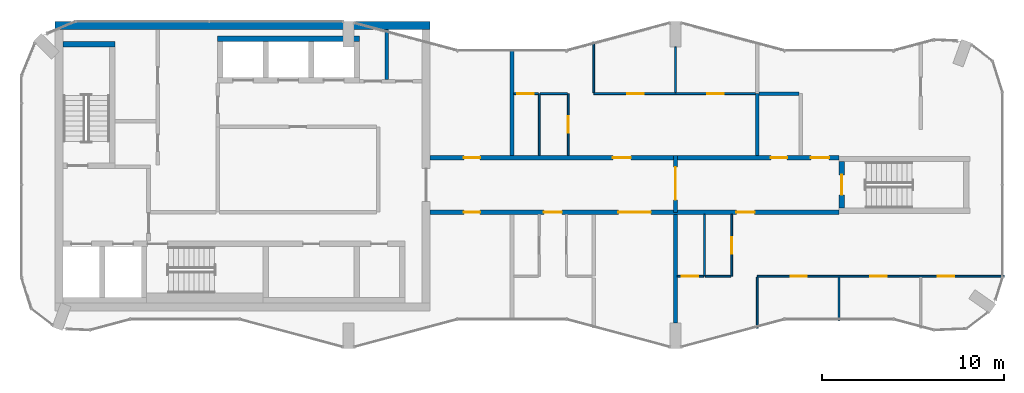
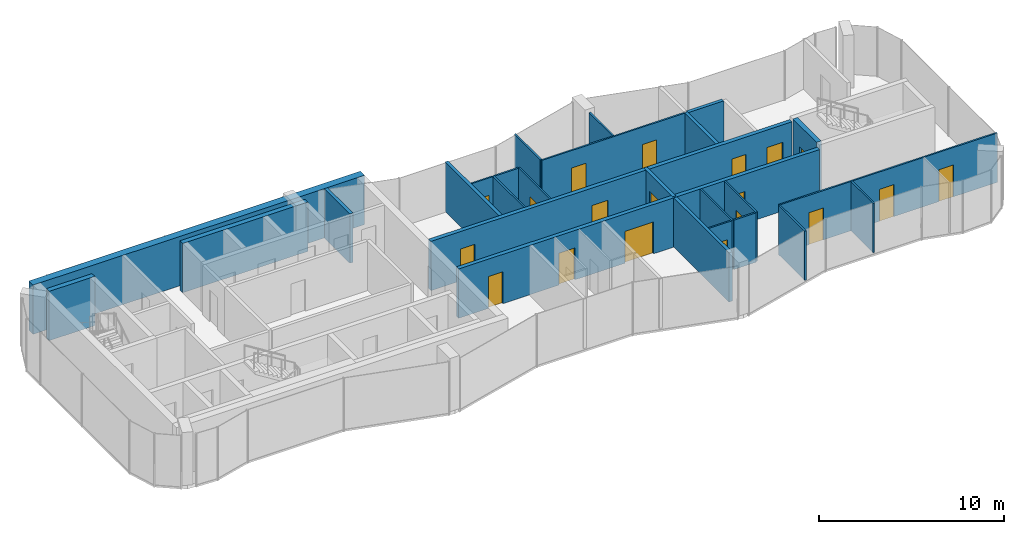
# One storey, part 8 of 10: 26 walls, 19 doors, 19 openings.
"""IFC4 building model written with IfcOpenShell, lengths in metres."""

from ifc_helpers import new_model, si_unit, direction, frame, frame_2d, origin, place, context, subcontext, project, spatial, rectangle, extrude, material, layer, layer_set, type_object, element, fill, save


model = new_model("IFC4")

# Units and contexts
model_context = context("Model", 3, precision=1e-05, world=origin(), true_north=direction((0.0, 1.0)))
body_context = subcontext(model_context, "Body", "Model", "MODEL_VIEW")
ifc_project = project(units=[si_unit("LENGTHUNIT", "METRE"), si_unit("AREAUNIT", "SQUARE_METRE"), si_unit("VOLUMEUNIT", "CUBIC_METRE"), si_unit("PLANEANGLEUNIT", "RADIAN"), si_unit("MASSUNIT", "GRAM", prefix="KILO")], contexts=[model_context])

# Site, building, storey
site_placement = place(None, origin())
site = spatial("IfcSite", under=ifc_project, at=site_placement, CompositionType="ELEMENT")
building_placement = place(site_placement, origin())
building = spatial("IfcBuilding", under=site, at=building_placement, Name="Plateau Cross Towers", CompositionType="ELEMENT")
storey_placement = place(building_placement, frame((0.0, 0.0, 273.89990234375)))
storey = spatial("IfcBuildingStorey", under=building, at=storey_placement, Name="L72", CompositionType="ELEMENT", Elevation=273.89990234375)

# Walls
ifc_material_1 = material(Name="Concrete block, plastered both sides", Category="concrete")
ifc_layer_1 = layer(ifc_material_1, 0.199951171875)
ifc_layer_set_1 = layer_set([ifc_layer_1], Name="Concrete block, plastered both sides")
wall_type_1 = type_object("IfcWallType", Name="Core partition 200", PredefinedType="PARTITIONING", material=ifc_layer_set_1)
wall_1_placement = place(storey_placement, frame((20.10009765625, 14.800048828125, 0.0), z_axis=(0.0, 0.0, 1.0), x_axis=(0.0, 1.0, 0.0)))
element("IfcWall", 1, at=wall_1_placement, inside=storey, type_object=wall_type_1, Name="Core partition", PredefinedType="PARTITIONING", context=body_context, shape_type="SweptSolid", body=[
    extrude(rectangle(XDim=2.75, YDim=0.199951171875, at=frame_2d((1.375, 0.0))), origin(), (0.0, 0.0, 1.0), 3.25),
])
ifc_material_2 = material(Name="Concrete C60/75", Category="concrete")
ifc_layer_2 = layer(ifc_material_2, 0.300048828125)
ifc_layer_set_2 = layer_set([ifc_layer_2], Name="Concrete C60/75")
wall_type_2 = type_object("IfcWallType", Name="Core shaft wall 300", PredefinedType="SHEAR", material=ifc_layer_set_2)
wall_2_placement = place(storey_placement, frame((2.300048828125, 16.75, 0.0), z_axis=(0.0, 0.0, 1.0), x_axis=(1.0, 0.0, 0.0)))
element("IfcWall", 2, at=wall_2_placement, inside=storey, type_object=wall_type_2, Name="A-st1-N@L72", PredefinedType="SHEAR", context=body_context, shape_type="SweptSolid", body=[
    extrude(rectangle(XDim=2.849853515625, YDim=0.300048828125, at=frame_2d((1.4248046875, 0.0))), origin(), (0.0, 0.0, 1.0), 3.25),
])
wall_3_placement = place(storey_placement, frame((10.800048828125, 17.050048828125, 0.0), z_axis=(0.0, 0.0, 1.0), x_axis=(1.0, 0.0, 0.0)))
element("IfcWall", 3, at=wall_3_placement, inside=storey, type_object=wall_type_2, Name="A-nb-back@L72", PredefinedType="SHEAR", context=body_context, shape_type="SweptSolid", body=[
    extrude(rectangle(XDim=7.800048828125, YDim=0.300048828125, at=frame_2d((3.89990234375, 0.0))), origin(), (0.0, 0.0, 1.0), 3.25),
])
ifc_layer_3 = layer(ifc_material_2, 0.449951171875)
ifc_layer_set_3 = layer_set([ifc_layer_3], Name="Concrete C60/75")
wall_type_3 = type_object("IfcWallType", Name="Core shell wall 450", PredefinedType="SHEAR", material=ifc_layer_set_3)
wall_4_placement = place(storey_placement, frame((1.85009765625, 17.77490234375, 0.0), z_axis=(0.0, 0.0, 1.0), x_axis=(1.0, 0.0, 0.0)))
element("IfcWall", 4, at=wall_4_placement, inside=storey, type_object=wall_type_3, Name="A-core-N@L72", PredefinedType="SHEAR", context=body_context, shape_type="SweptSolid", body=[
    extrude(rectangle(XDim=20.64990234375, YDim=0.449951171875, at=frame_2d((10.324951171875, 0.0))), origin(), (0.0, 0.0, 1.0), 3.25),
])

# Wall, openings, doors
ifc_layer_4 = layer(ifc_material_2, 0.25)
ifc_layer_set_4 = layer_set([ifc_layer_4], Name="Concrete C60/75")
wall_type_4 = type_object("IfcWallType", Name="Corridor wall 250", PredefinedType="SHEAR", material=ifc_layer_set_4)
wall_5_placement = place(storey_placement, frame((22.5, 7.5, 0.0), z_axis=(0.0, 0.0, 1.0), x_axis=(1.0, 0.0, 0.0)))
wall_5 = element("IfcWall", 5, at=wall_5_placement, inside=storey, type_object=wall_type_4, Name="A-cw-S1@L72", PredefinedType="SHEAR", context=body_context, shape_type="SweptSolid", body=[
    extrude(rectangle(XDim=22.5, YDim=0.25, at=frame_2d((11.25, 0.0))), origin(), (0.0, 0.0, 1.0), 3.25),
])
opening_1_placement = place(wall_5_placement, frame((1.85009765625, 0.0, 0.0)))
opening_1 = element("IfcOpeningElement", 6, at=opening_1_placement, cuts=wall_5, Name="Opening 72-01", PredefinedType="OPENING", context=body_context, shape_type="SweptSolid", body=[
    extrude(rectangle(XDim=0.89990234375, YDim=2.10009765625, at=frame_2d((0.449951171875, 1.050048828125))), frame((0.0, 0.135009765625, 0.0), z_axis=(0.0, -1.0, 0.0), x_axis=(1.0, 0.0, 0.0)), (0.0, 0.0, 1.0), 0.27001953125),
])
opening_2_placement = place(wall_5_placement, frame((6.25, 0.0, 0.0)))
opening_2 = element("IfcOpeningElement", 7, at=opening_2_placement, cuts=wall_5, Name="Opening 72-02", PredefinedType="OPENING", context=body_context, shape_type="SweptSolid", body=[
    extrude(rectangle(XDim=1.0, YDim=2.10009765625, at=frame_2d((0.5, 1.050048828125))), frame((0.0, 0.135009765625, 0.0), z_axis=(0.0, -1.0, 0.0), x_axis=(1.0, 0.0, 0.0)), (0.0, 0.0, 1.0), 0.27001953125),
])
opening_3_placement = place(wall_5_placement, frame((10.35009765625, 0.0, 0.0)))
opening_3 = element("IfcOpeningElement", 8, at=opening_3_placement, cuts=wall_5, Name="Opening 72-03", PredefinedType="OPENING", context=body_context, shape_type="SweptSolid", body=[
    extrude(rectangle(XDim=1.800048828125, YDim=2.10009765625, at=frame_2d((0.89990234375, 1.050048828125))), frame((0.0, 0.135009765625, 0.0), z_axis=(0.0, -1.0, 0.0), x_axis=(1.0, 0.0, 0.0)), (0.0, 0.0, 1.0), 0.27001953125),
])
opening_4_placement = place(wall_5_placement, frame((16.85009765625, 0.0, 0.0)))
opening_4 = element("IfcOpeningElement", 9, at=opening_4_placement, cuts=wall_5, Name="Opening 72-04", PredefinedType="OPENING", context=body_context, shape_type="SweptSolid", body=[
    extrude(rectangle(XDim=1.0, YDim=2.10009765625, at=frame_2d((0.5, 1.050048828125))), frame((0.0, 0.135009765625, 0.0), z_axis=(0.0, -1.0, 0.0), x_axis=(1.0, 0.0, 0.0)), (0.0, 0.0, 1.0), 0.27001953125),
])
ifc_material_3 = material(Name="Timber, fire-resisting leaf", Category="wood")
door_type_1 = type_object("IfcDoorType", Name="Flat entrance door 1000", OperationType="NOTDEFINED", PredefinedType="DOOR", material=ifc_material_3)
door_1_placement = place(opening_2_placement, origin())
door_1 = element("IfcDoor", 10, at=door_1_placement, inside=storey, type_object=door_type_1, Name="Door 72-02", OperationType="SINGLE_SWING_LEFT", OverallHeight=2.10009765625, OverallWidth=1.0, PredefinedType="DOOR", context=body_context, shape_type="SweptSolid", body=[
    extrude(rectangle(XDim=1.0, YDim=2.10009765625, at=frame_2d((0.5, 1.050048828125))), frame((0.0, 0.02490234375, 0.0), z_axis=(0.0, -1.0, 0.0), x_axis=(1.0, 0.0, 0.0)), (0.0, 0.0, 1.0), 0.050048828125),
])
fill(opening_2, door_1)
door_2_placement = place(opening_4_placement, origin())
door_2 = element("IfcDoor", 11, at=door_2_placement, inside=storey, type_object=door_type_1, Name="Door 72-04", OperationType="SINGLE_SWING_RIGHT", OverallHeight=2.10009765625, OverallWidth=1.0, PredefinedType="DOOR", context=body_context, shape_type="SweptSolid", body=[
    extrude(rectangle(XDim=1.0, YDim=2.10009765625, at=frame_2d((0.5, 1.050048828125))), frame((0.0, 0.02490234375, 0.0), z_axis=(0.0, -1.0, 0.0), x_axis=(1.0, 0.0, 0.0)), (0.0, 0.0, 1.0), 0.050048828125),
])
fill(opening_4, door_2)
ifc_material_4 = material(Name="Timber, fire-resisting leaves", Category="wood")
door_type_2 = type_object("IfcDoorType", Name="Flat floor fire door pair 1800", OperationType="NOTDEFINED", PredefinedType="DOOR", material=ifc_material_4)
door_3_placement = place(opening_3_placement, origin())
door_3 = element("IfcDoor", 12, at=door_3_placement, inside=storey, type_object=door_type_2, Name="Door 72-03", OperationType="SINGLE_SWING_LEFT", OverallHeight=2.10009765625, OverallWidth=1.800048828125, PredefinedType="DOOR", context=body_context, shape_type="SweptSolid", body=[
    extrude(rectangle(XDim=1.800048828125, YDim=2.10009765625, at=frame_2d((0.89990234375, 1.050048828125))), frame((0.0, 0.02490234375, 0.0), z_axis=(0.0, -1.0, 0.0), x_axis=(1.0, 0.0, 0.0)), (0.0, 0.0, 1.0), 0.050048828125),
])
fill(opening_3, door_3)
door_type_3 = type_object("IfcDoorType", Name="Flat floor service door 900", OperationType="NOTDEFINED", PredefinedType="DOOR", material=ifc_material_3)
door_4_placement = place(opening_1_placement, origin())
door_4 = element("IfcDoor", 13, at=door_4_placement, inside=storey, type_object=door_type_3, Name="Door 72-01", OperationType="SINGLE_SWING_LEFT", OverallHeight=2.10009765625, OverallWidth=0.89990234375, PredefinedType="DOOR", context=body_context, shape_type="SweptSolid", body=[
    extrude(rectangle(XDim=0.89990234375, YDim=2.10009765625, at=frame_2d((0.449951171875, 1.050048828125))), frame((0.0, 0.02490234375, 0.0), z_axis=(0.0, -1.0, 0.0), x_axis=(1.0, 0.0, 0.0)), (0.0, 0.0, 1.0), 0.050048828125),
])
fill(opening_1, door_4)

wall_6_placement = place(storey_placement, frame((22.5, 10.5, 0.0), z_axis=(0.0, 0.0, 1.0), x_axis=(1.0, 0.0, 0.0)))
wall_6 = element("IfcWall", 14, at=wall_6_placement, inside=storey, type_object=wall_type_4, Name="A-cw-S2@L72", PredefinedType="SHEAR", context=body_context, shape_type="SweptSolid", body=[
    extrude(rectangle(XDim=22.5, YDim=0.25, at=frame_2d((11.25, 0.0))), origin(), (0.0, 0.0, 1.0), 3.25),
])
opening_5_placement = place(wall_6_placement, frame((1.85009765625, 0.0, 0.0)))
opening_5 = element("IfcOpeningElement", 15, at=opening_5_placement, cuts=wall_6, Name="Opening 72-05", PredefinedType="OPENING", context=body_context, shape_type="SweptSolid", body=[
    extrude(rectangle(XDim=0.89990234375, YDim=2.10009765625, at=frame_2d((0.449951171875, 1.050048828125))), frame((0.0, 0.135009765625, 0.0), z_axis=(0.0, -1.0, 0.0), x_axis=(1.0, 0.0, 0.0)), (0.0, 0.0, 1.0), 0.27001953125),
])
opening_6_placement = place(wall_6_placement, frame((10.050048828125, 0.0, 0.0)))
opening_6 = element("IfcOpeningElement", 16, at=opening_6_placement, cuts=wall_6, Name="Opening 72-06", PredefinedType="OPENING", context=body_context, shape_type="SweptSolid", body=[
    extrude(rectangle(XDim=1.0, YDim=2.10009765625, at=frame_2d((0.5, 1.050048828125))), frame((0.0, 0.135009765625, 0.0), z_axis=(0.0, -1.0, 0.0), x_axis=(1.0, 0.0, 0.0)), (0.0, 0.0, 1.0), 0.27001953125),
])
opening_7_placement = place(wall_6_placement, frame((18.75, 0.0, 0.0)))
opening_7 = element("IfcOpeningElement", 17, at=opening_7_placement, cuts=wall_6, Name="Opening 72-07", PredefinedType="OPENING", context=body_context, shape_type="SweptSolid", body=[
    extrude(rectangle(XDim=0.89990234375, YDim=2.10009765625, at=frame_2d((0.449951171875, 1.050048828125))), frame((0.0, 0.135009765625, 0.0), z_axis=(0.0, -1.0, 0.0), x_axis=(1.0, 0.0, 0.0)), (0.0, 0.0, 1.0), 0.27001953125),
])
opening_8_placement = place(wall_6_placement, frame((20.949951171875, 0.0, 0.0)))
opening_8 = element("IfcOpeningElement", 18, at=opening_8_placement, cuts=wall_6, Name="Opening 72-08", PredefinedType="OPENING", context=body_context, shape_type="SweptSolid", body=[
    extrude(rectangle(XDim=1.0, YDim=2.10009765625, at=frame_2d((0.5, 1.050048828125))), frame((0.0, 0.135009765625, 0.0), z_axis=(0.0, -1.0, 0.0), x_axis=(1.0, 0.0, 0.0)), (0.0, 0.0, 1.0), 0.27001953125),
])
door_5_placement = place(opening_6_placement, origin())
door_5 = element("IfcDoor", 19, at=door_5_placement, inside=storey, type_object=door_type_1, Name="Door 72-06", OperationType="SINGLE_SWING_LEFT", OverallHeight=2.10009765625, OverallWidth=1.0, PredefinedType="DOOR", context=body_context, shape_type="SweptSolid", body=[
    extrude(rectangle(XDim=1.0, YDim=2.10009765625, at=frame_2d((0.5, 1.050048828125))), frame((0.0, 0.02490234375, 0.0), z_axis=(0.0, -1.0, 0.0), x_axis=(1.0, 0.0, 0.0)), (0.0, 0.0, 1.0), 0.050048828125),
])
fill(opening_6, door_5)
door_6_placement = place(opening_8_placement, origin())
door_6 = element("IfcDoor", 20, at=door_6_placement, inside=storey, type_object=door_type_1, Name="Door 72-08", OperationType="SINGLE_SWING_RIGHT", OverallHeight=2.10009765625, OverallWidth=1.0, PredefinedType="DOOR", context=body_context, shape_type="SweptSolid", body=[
    extrude(rectangle(XDim=1.0, YDim=2.10009765625, at=frame_2d((0.5, 1.050048828125))), frame((0.0, 0.02490234375, 0.0), z_axis=(0.0, -1.0, 0.0), x_axis=(1.0, 0.0, 0.0)), (0.0, 0.0, 1.0), 0.050048828125),
])
fill(opening_8, door_6)
door_7_placement = place(opening_5_placement, origin())
door_7 = element("IfcDoor", 21, at=door_7_placement, inside=storey, type_object=door_type_3, Name="Door 72-05", OperationType="SINGLE_SWING_LEFT", OverallHeight=2.10009765625, OverallWidth=0.89990234375, PredefinedType="DOOR", context=body_context, shape_type="SweptSolid", body=[
    extrude(rectangle(XDim=0.89990234375, YDim=2.10009765625, at=frame_2d((0.449951171875, 1.050048828125))), frame((0.0, 0.02490234375, 0.0), z_axis=(0.0, -1.0, 0.0), x_axis=(1.0, 0.0, 0.0)), (0.0, 0.0, 1.0), 0.050048828125),
])
fill(opening_5, door_7)
door_8_placement = place(opening_7_placement, origin())
door_8 = element("IfcDoor", 22, at=door_8_placement, inside=storey, type_object=door_type_3, Name="Door 72-07", OperationType="SINGLE_SWING_RIGHT", OverallHeight=2.10009765625, OverallWidth=0.89990234375, PredefinedType="DOOR", context=body_context, shape_type="SweptSolid", body=[
    extrude(rectangle(XDim=0.89990234375, YDim=2.10009765625, at=frame_2d((0.449951171875, 1.050048828125))), frame((0.0, 0.02490234375, 0.0), z_axis=(0.0, -1.0, 0.0), x_axis=(1.0, 0.0, 0.0)), (0.0, 0.0, 1.0), 0.050048828125),
])
fill(opening_7, door_8)

ifc_material_5 = material(Name="Gypsum board on steel studs", Category="steel")
ifc_layer_5 = layer(ifc_material_5, 0.10009765625)
ifc_layer_set_5 = layer_set([ifc_layer_5], Name="Gypsum board on steel studs")
wall_type_5 = type_object("IfcWallType", Name="Flat partition 100", PredefinedType="PARTITIONING", material=ifc_layer_set_5)
wall_7_placement = place(storey_placement, frame((54.080078125, 3.97509765625, 0.0), z_axis=(0.0, 0.0, 1.0), x_axis=(-1.0, 0.0, 0.0)))
wall_7 = element("IfcWall", 23, at=wall_7_placement, inside=storey, type_object=wall_type_5, Name="Partition wall", PredefinedType="PARTITIONING", context=body_context, shape_type="SweptSolid", body=[
    extrude(rectangle(XDim=13.580078125, YDim=0.10009765625, at=frame_2d((6.7900390625, 0.0))), origin(), (0.0, 0.0, 1.0), 3.25),
])
opening_9_placement = place(wall_7_placement, frame((10.85009765625, 0.0, 0.0)))
opening_9 = element("IfcOpeningElement", 24, at=opening_9_placement, cuts=wall_7, Name="Opening 72-15", PredefinedType="OPENING", context=body_context, shape_type="SweptSolid", body=[
    extrude(rectangle(XDim=0.89990234375, YDim=2.10009765625, at=frame_2d((0.449951171875, 1.050048828125))), frame((0.0, 0.06005859375, 0.0), z_axis=(0.0, -1.0, 0.0), x_axis=(1.0, 0.0, 0.0)), (0.0, 0.0, 1.0), 0.1201171875),
])
opening_10_placement = place(wall_7_placement, frame((6.449951171875, 0.0, 0.0)))
opening_10 = element("IfcOpeningElement", 25, at=opening_10_placement, cuts=wall_7, Name="Opening 72-16", PredefinedType="OPENING", context=body_context, shape_type="SweptSolid", body=[
    extrude(rectangle(XDim=0.89990234375, YDim=2.10009765625, at=frame_2d((0.449951171875, 1.050048828125))), frame((0.0, 0.06005859375, 0.0), z_axis=(0.0, -1.0, 0.0), x_axis=(1.0, 0.0, 0.0)), (0.0, 0.0, 1.0), 0.1201171875),
])
opening_11_placement = place(wall_7_placement, frame((2.75, 0.0, 0.0)))
opening_11 = element("IfcOpeningElement", 26, at=opening_11_placement, cuts=wall_7, Name="Opening 72-17", PredefinedType="OPENING", context=body_context, shape_type="SweptSolid", body=[
    extrude(rectangle(XDim=0.89990234375, YDim=2.10009765625, at=frame_2d((0.449951171875, 1.050048828125))), frame((0.0, 0.06005859375, 0.0), z_axis=(0.0, -1.0, 0.0), x_axis=(1.0, 0.0, 0.0)), (0.0, 0.0, 1.0), 0.1201171875),
])
ifc_material_6 = material(Name="Timber leaf", Category="wood")
door_type_4 = type_object("IfcDoorType", Name="Flat room door 900", OperationType="NOTDEFINED", PredefinedType="DOOR", material=ifc_material_6)
door_9_placement = place(opening_9_placement, origin())
door_9 = element("IfcDoor", 27, at=door_9_placement, inside=storey, type_object=door_type_4, Name="Door 72-15", OperationType="SINGLE_SWING_RIGHT", OverallHeight=2.10009765625, OverallWidth=0.89990234375, PredefinedType="DOOR", context=body_context, shape_type="SweptSolid", body=[
    extrude(rectangle(XDim=0.89990234375, YDim=2.10009765625, at=frame_2d((0.449951171875, 1.050048828125))), frame((0.0, 0.02490234375, 0.0), z_axis=(0.0, -1.0, 0.0), x_axis=(1.0, 0.0, 0.0)), (0.0, 0.0, 1.0), 0.050048828125),
])
fill(opening_9, door_9)
door_10_placement = place(opening_10_placement, origin())
door_10 = element("IfcDoor", 28, at=door_10_placement, inside=storey, type_object=door_type_4, Name="Door 72-16", OperationType="SINGLE_SWING_RIGHT", OverallHeight=2.10009765625, OverallWidth=0.89990234375, PredefinedType="DOOR", context=body_context, shape_type="SweptSolid", body=[
    extrude(rectangle(XDim=0.89990234375, YDim=2.10009765625, at=frame_2d((0.449951171875, 1.050048828125))), frame((0.0, 0.02490234375, 0.0), z_axis=(0.0, -1.0, 0.0), x_axis=(1.0, 0.0, 0.0)), (0.0, 0.0, 1.0), 0.050048828125),
])
fill(opening_10, door_10)
door_11_placement = place(opening_11_placement, origin())
door_11 = element("IfcDoor", 29, at=door_11_placement, inside=storey, type_object=door_type_4, Name="Door 72-17", OperationType="SINGLE_SWING_LEFT", OverallHeight=2.10009765625, OverallWidth=0.89990234375, PredefinedType="DOOR", context=body_context, shape_type="SweptSolid", body=[
    extrude(rectangle(XDim=0.89990234375, YDim=2.10009765625, at=frame_2d((0.449951171875, 1.050048828125))), frame((0.0, 0.02490234375, 0.0), z_axis=(0.0, -1.0, 0.0), x_axis=(1.0, 0.0, 0.0)), (0.0, 0.0, 1.0), 0.050048828125),
])
fill(opening_11, door_11)

# Wall, opening, door
wall_8_placement = place(storey_placement, frame((36.10009765625, 3.97509765625, 0.0), z_axis=(0.0, 0.0, 1.0), x_axis=(1.0, 0.0, 0.0)))
wall_8 = element("IfcWall", 30, at=wall_8_placement, inside=storey, type_object=wall_type_5, Name="Partition wall", PredefinedType="PARTITIONING", context=body_context, shape_type="SweptSolid", body=[
    extrude(rectangle(XDim=1.449951171875, YDim=0.10009765625, at=frame_2d((0.72509765625, 0.0))), origin(), (0.0, 0.0, 1.0), 3.25),
])
opening_12_placement = place(wall_8_placement, frame((0.25, 0.0, 0.0)))
opening_12 = element("IfcOpeningElement", 31, at=opening_12_placement, cuts=wall_8, Name="Opening 72-13", PredefinedType="OPENING", context=body_context, shape_type="SweptSolid", body=[
    extrude(rectangle(XDim=0.89990234375, YDim=2.10009765625, at=frame_2d((0.449951171875, 1.050048828125))), frame((0.0, 0.06005859375, 0.0), z_axis=(0.0, -1.0, 0.0), x_axis=(1.0, 0.0, 0.0)), (0.0, 0.0, 1.0), 0.1201171875),
])
door_12_placement = place(opening_12_placement, origin())
door_12 = element("IfcDoor", 32, at=door_12_placement, inside=storey, type_object=door_type_4, Name="Door 72-13", OperationType="SINGLE_SWING_LEFT", OverallHeight=2.10009765625, OverallWidth=0.89990234375, PredefinedType="DOOR", context=body_context, shape_type="SweptSolid", body=[
    extrude(rectangle(XDim=0.89990234375, YDim=2.10009765625, at=frame_2d((0.449951171875, 1.050048828125))), frame((0.0, 0.02490234375, 0.0), z_axis=(0.0, -1.0, 0.0), x_axis=(1.0, 0.0, 0.0)), (0.0, 0.0, 1.0), 0.050048828125),
])
fill(opening_12, door_12)

# Wall
wall_9_placement = place(storey_placement, frame((37.64990234375, 3.97509765625, 0.0), z_axis=(0.0, 0.0, 1.0), x_axis=(1.0, 0.0, 0.0)))
element("IfcWall", 33, at=wall_9_placement, inside=storey, type_object=wall_type_5, Name="Partition wall", PredefinedType="PARTITIONING", context=body_context, shape_type="SweptSolid", body=[
    extrude(rectangle(XDim=1.400146484375, YDim=0.10009765625, at=frame_2d((0.7001953125, 0.0))), origin(), (0.0, 0.0, 1.0), 3.25),
])

# Wall, opening, door
wall_10_placement = place(storey_placement, frame((28.449951171875, 14.02490234375, 0.0), z_axis=(0.0, 0.0, 1.0), x_axis=(-1.0, 0.0, 0.0)))
wall_10 = element("IfcWall", 34, at=wall_10_placement, inside=storey, type_object=wall_type_5, Name="Partition wall", PredefinedType="PARTITIONING", context=body_context, shape_type="SweptSolid", body=[
    extrude(rectangle(XDim=1.349853515625, YDim=0.10009765625, at=frame_2d((0.6748046875, 0.0))), origin(), (0.0, 0.0, 1.0), 3.25),
])
opening_13_placement = place(wall_10_placement, frame((0.25, 0.0, 0.0)))
opening_13 = element("IfcOpeningElement", 35, at=opening_13_placement, cuts=wall_10, Name="Opening 72-18", PredefinedType="OPENING", context=body_context, shape_type="SweptSolid", body=[
    extrude(rectangle(XDim=0.89990234375, YDim=2.10009765625, at=frame_2d((0.449951171875, 1.050048828125))), frame((0.0, 0.06005859375, 0.0), z_axis=(0.0, -1.0, 0.0), x_axis=(1.0, 0.0, 0.0)), (0.0, 0.0, 1.0), 0.1201171875),
])
door_13_placement = place(opening_13_placement, origin())
door_13 = element("IfcDoor", 36, at=door_13_placement, inside=storey, type_object=door_type_4, Name="Door 72-18", OperationType="SINGLE_SWING_RIGHT", OverallHeight=2.10009765625, OverallWidth=0.89990234375, PredefinedType="DOOR", context=body_context, shape_type="SweptSolid", body=[
    extrude(rectangle(XDim=0.89990234375, YDim=2.10009765625, at=frame_2d((0.449951171875, 1.050048828125))), frame((0.0, 0.02490234375, 0.0), z_axis=(0.0, -1.0, 0.0), x_axis=(1.0, 0.0, 0.0)), (0.0, 0.0, 1.0), 0.050048828125),
])
fill(opening_13, door_13)

# Wall
wall_11_placement = place(storey_placement, frame((30.050048828125, 14.02490234375, 0.0), z_axis=(0.0, 0.0, 1.0), x_axis=(-1.0, 0.0, 0.0)))
element("IfcWall", 37, at=wall_11_placement, inside=storey, type_object=wall_type_5, Name="Partition wall", PredefinedType="PARTITIONING", context=body_context, shape_type="SweptSolid", body=[
    extrude(rectangle(XDim=1.5, YDim=0.10009765625, at=frame_2d((0.75, 0.0))), origin(), (0.0, 0.0, 1.0), 3.25),
])

# Wall, openings, doors
wall_12_placement = place(storey_placement, frame((31.5, 14.02490234375, 0.0), z_axis=(0.0, 0.0, 1.0), x_axis=(1.0, 0.0, 0.0)))
wall_12 = element("IfcWall", 38, at=wall_12_placement, inside=storey, type_object=wall_type_5, Name="Partition wall", PredefinedType="PARTITIONING", context=body_context, shape_type="SweptSolid", body=[
    extrude(rectangle(XDim=8.89990234375, YDim=0.10009765625, at=frame_2d((4.449951171875, 0.0))), origin(), (0.0, 0.0, 1.0), 3.25),
])
opening_14_placement = place(wall_12_placement, frame((1.85009765625, 0.0, 0.0)))
opening_14 = element("IfcOpeningElement", 39, at=opening_14_placement, cuts=wall_12, Name="Opening 72-20", PredefinedType="OPENING", context=body_context, shape_type="SweptSolid", body=[
    extrude(rectangle(XDim=0.89990234375, YDim=2.10009765625, at=frame_2d((0.449951171875, 1.050048828125))), frame((0.0, 0.06005859375, 0.0), z_axis=(0.0, -1.0, 0.0), x_axis=(1.0, 0.0, 0.0)), (0.0, 0.0, 1.0), 0.1201171875),
])
opening_15_placement = place(wall_12_placement, frame((6.25, 0.0, 0.0)))
opening_15 = element("IfcOpeningElement", 40, at=opening_15_placement, cuts=wall_12, Name="Opening 72-21", PredefinedType="OPENING", context=body_context, shape_type="SweptSolid", body=[
    extrude(rectangle(XDim=0.89990234375, YDim=2.10009765625, at=frame_2d((0.449951171875, 1.050048828125))), frame((0.0, 0.06005859375, 0.0), z_axis=(0.0, -1.0, 0.0), x_axis=(1.0, 0.0, 0.0)), (0.0, 0.0, 1.0), 0.1201171875),
])
door_14_placement = place(opening_14_placement, origin())
door_14 = element("IfcDoor", 41, at=door_14_placement, inside=storey, type_object=door_type_4, Name="Door 72-20", OperationType="SINGLE_SWING_LEFT", OverallHeight=2.10009765625, OverallWidth=0.89990234375, PredefinedType="DOOR", context=body_context, shape_type="SweptSolid", body=[
    extrude(rectangle(XDim=0.89990234375, YDim=2.10009765625, at=frame_2d((0.449951171875, 1.050048828125))), frame((0.0, 0.02490234375, 0.0), z_axis=(0.0, -1.0, 0.0), x_axis=(1.0, 0.0, 0.0)), (0.0, 0.0, 1.0), 0.050048828125),
])
fill(opening_14, door_14)
door_15_placement = place(opening_15_placement, origin())
door_15 = element("IfcDoor", 42, at=door_15_placement, inside=storey, type_object=door_type_4, Name="Door 72-21", OperationType="SINGLE_SWING_RIGHT", OverallHeight=2.10009765625, OverallWidth=0.89990234375, PredefinedType="DOOR", context=body_context, shape_type="SweptSolid", body=[
    extrude(rectangle(XDim=0.89990234375, YDim=2.10009765625, at=frame_2d((0.449951171875, 1.050048828125))), frame((0.0, 0.02490234375, 0.0), z_axis=(0.0, -1.0, 0.0), x_axis=(1.0, 0.0, 0.0)), (0.0, 0.0, 1.0), 0.050048828125),
])
fill(opening_15, door_15)

# Wall
wall_13_placement = place(storey_placement, frame((28.5, 10.625, 0.0), z_axis=(0.0, 0.0, 1.0), x_axis=(0.0, 1.0, 0.0)))
element("IfcWall", 43, at=wall_13_placement, inside=storey, type_object=wall_type_5, Name="Partition wall", PredefinedType="PARTITIONING", context=body_context, shape_type="SweptSolid", body=[
    extrude(rectangle(XDim=3.39990234375, YDim=0.10009765625, at=frame_2d((1.699951171875, 0.0))), origin(), (0.0, 0.0, 1.0), 3.25),
])

# Wall, opening, door
wall_14_placement = place(storey_placement, frame((30.10009765625, 10.625, 0.0), z_axis=(0.0, 0.0, 1.0), x_axis=(0.0, 1.0, 0.0)))
wall_14 = element("IfcWall", 44, at=wall_14_placement, inside=storey, type_object=wall_type_5, Name="Partition wall", PredefinedType="PARTITIONING", context=body_context, shape_type="SweptSolid", body=[
    extrude(rectangle(XDim=3.39990234375, YDim=0.10009765625, at=frame_2d((1.699951171875, 0.0))), origin(), (0.0, 0.0, 1.0), 3.25),
])
opening_16_placement = place(wall_14_placement, frame((1.25, 0.0, 0.0)))
opening_16 = element("IfcOpeningElement", 45, at=opening_16_placement, cuts=wall_14, Name="Opening 72-19", PredefinedType="OPENING", context=body_context, shape_type="SweptSolid", body=[
    extrude(rectangle(XDim=0.89990234375, YDim=2.10009765625, at=frame_2d((0.449951171875, 1.050048828125))), frame((0.0, 0.06005859375, 0.0), z_axis=(0.0, -1.0, 0.0), x_axis=(1.0, 0.0, 0.0)), (0.0, 0.0, 1.0), 0.1201171875),
])
door_16_placement = place(opening_16_placement, origin())
door_16 = element("IfcDoor", 46, at=door_16_placement, inside=storey, type_object=door_type_4, Name="Door 72-19", OperationType="SINGLE_SWING_LEFT", OverallHeight=2.10009765625, OverallWidth=0.89990234375, PredefinedType="DOOR", context=body_context, shape_type="SweptSolid", body=[
    extrude(rectangle(XDim=0.89990234375, YDim=2.10009765625, at=frame_2d((0.449951171875, 1.050048828125))), frame((0.0, 0.02490234375, 0.0), z_axis=(0.0, -1.0, 0.0), x_axis=(1.0, 0.0, 0.0)), (0.0, 0.0, 1.0), 0.050048828125),
])
fill(opening_16, door_16)

# Walls
wall_15_placement = place(storey_placement, frame((31.5, 16.877685546875, 0.0), z_axis=(0.0, 0.0, 1.0), x_axis=(0.0, -1.0, 0.0)))
element("IfcWall", 47, at=wall_15_placement, inside=storey, type_object=wall_type_5, Name="Partition wall", PredefinedType="PARTITIONING", context=body_context, shape_type="SweptSolid", body=[
    extrude(rectangle(XDim=2.802734375, YDim=0.10009765625, at=frame_2d((1.4013671875, 0.0))), origin(), (0.0, 0.0, 1.0), 3.25),
])
wall_16_placement = place(storey_placement, frame((36.0, 14.074951171875, 0.0), z_axis=(0.0, 0.0, 1.0), x_axis=(0.0, 1.0, 0.0)))
element("IfcWall", 48, at=wall_16_placement, inside=storey, type_object=wall_type_5, Name="Partition wall", PredefinedType="PARTITIONING", context=body_context, shape_type="SweptSolid", body=[
    extrude(rectangle(XDim=2.525146484375, YDim=0.10009765625, at=frame_2d((1.2626953125, 0.0))), origin(), (0.0, 0.0, 1.0), 3.25),
])
wall_17_placement = place(storey_placement, frame((37.60009765625, 3.97509765625, 0.0), z_axis=(0.0, 0.0, 1.0), x_axis=(0.0, 1.0, 0.0)))
element("IfcWall", 49, at=wall_17_placement, inside=storey, type_object=wall_type_5, Name="Partition wall", PredefinedType="PARTITIONING", context=body_context, shape_type="SweptSolid", body=[
    extrude(rectangle(XDim=3.39990234375, YDim=0.10009765625, at=frame_2d((1.699951171875, 0.0))), origin(), (0.0, 0.0, 1.0), 3.25),
])

# Wall, opening, door
wall_18_placement = place(storey_placement, frame((39.10009765625, 3.97509765625, 0.0), z_axis=(0.0, 0.0, 1.0), x_axis=(0.0, 1.0, 0.0)))
wall_18 = element("IfcWall", 50, at=wall_18_placement, inside=storey, type_object=wall_type_5, Name="Partition wall", PredefinedType="PARTITIONING", context=body_context, shape_type="SweptSolid", body=[
    extrude(rectangle(XDim=3.39990234375, YDim=0.10009765625, at=frame_2d((1.699951171875, 0.0))), origin(), (0.0, 0.0, 1.0), 3.25),
])
opening_17_placement = place(wall_18_placement, frame((1.25, 0.0, 0.0)))
opening_17 = element("IfcOpeningElement", 51, at=opening_17_placement, cuts=wall_18, Name="Opening 72-14", PredefinedType="OPENING", context=body_context, shape_type="SweptSolid", body=[
    extrude(rectangle(XDim=0.89990234375, YDim=2.10009765625, at=frame_2d((0.449951171875, 1.050048828125))), frame((0.0, 0.06005859375, 0.0), z_axis=(0.0, -1.0, 0.0), x_axis=(1.0, 0.0, 0.0)), (0.0, 0.0, 1.0), 0.1201171875),
])
door_17_placement = place(opening_17_placement, origin())
door_17 = element("IfcDoor", 52, at=door_17_placement, inside=storey, type_object=door_type_4, Name="Door 72-14", OperationType="SINGLE_SWING_LEFT", OverallHeight=2.10009765625, OverallWidth=0.89990234375, PredefinedType="DOOR", context=body_context, shape_type="SweptSolid", body=[
    extrude(rectangle(XDim=0.89990234375, YDim=2.10009765625, at=frame_2d((0.449951171875, 1.050048828125))), frame((0.0, 0.02490234375, 0.0), z_axis=(0.0, -1.0, 0.0), x_axis=(1.0, 0.0, 0.0)), (0.0, 0.0, 1.0), 0.050048828125),
])
fill(opening_17, door_17)

# Walls
wall_19_placement = place(storey_placement, frame((40.5, 3.925048828125, 0.0), z_axis=(0.0, 0.0, 1.0), x_axis=(0.0, -1.0, 0.0)))
element("IfcWall", 53, at=wall_19_placement, inside=storey, type_object=wall_type_5, Name="Partition wall", PredefinedType="PARTITIONING", context=body_context, shape_type="SweptSolid", body=[
    extrude(rectangle(XDim=2.802734375, YDim=0.10009765625, at=frame_2d((1.4013671875, 0.0))), origin(), (0.0, 0.0, 1.0), 3.25),
])
wall_20_placement = place(storey_placement, frame((45.0, 1.52685546875, 0.0), z_axis=(0.0, 0.0, 1.0), x_axis=(0.0, 1.0, 0.0)))
element("IfcWall", 54, at=wall_20_placement, inside=storey, type_object=wall_type_5, Name="Partition wall", PredefinedType="PARTITIONING", context=body_context, shape_type="SweptSolid", body=[
    extrude(rectangle(XDim=2.398193359375, YDim=0.10009765625, at=frame_2d((1.19921875, 0.0))), origin(), (0.0, 0.0, 1.0), 3.25),
])
ifc_material_7 = material(Name="Gypsum board on steel studs, two layers each side", Category="steel")
ifc_layer_6 = layer(ifc_material_7, 0.199951171875)
ifc_layer_set_6 = layer_set([ifc_layer_6], Name="Gypsum board on steel studs, two layers each side")
wall_type_6 = type_object("IfcWallType", Name="Flat party wall 200", PredefinedType="PARTITIONING", material=ifc_layer_set_6)
wall_21_placement = place(storey_placement, frame((42.800048828125, 14.02490234375, 0.0), z_axis=(0.0, 0.0, 1.0), x_axis=(-1.0, 0.0, 0.0)))
element("IfcWall", 55, at=wall_21_placement, inside=storey, type_object=wall_type_6, Name="Party wall", PredefinedType="PARTITIONING", context=body_context, shape_type="SweptSolid", body=[
    extrude(rectangle(XDim=2.199951171875, YDim=0.199951171875, at=frame_2d((1.10009765625, 0.0))), origin(), (0.0, 0.0, 1.0), 3.25),
])
wall_22_placement = place(storey_placement, frame((27.0, 10.625, 0.0), z_axis=(0.0, 0.0, 1.0), x_axis=(0.0, 1.0, 0.0)))
element("IfcWall", 56, at=wall_22_placement, inside=storey, type_object=wall_type_6, Name="Party wall", PredefinedType="PARTITIONING", context=body_context, shape_type="SweptSolid", body=[
    extrude(rectangle(XDim=5.84814453125, YDim=0.199951171875, at=frame_2d((2.924072265625, 0.0))), origin(), (0.0, 0.0, 1.0), 3.25),
])
wall_23_placement = place(storey_placement, frame((36.0, 1.39990234375, 0.0), z_axis=(0.0, 0.0, 1.0), x_axis=(0.0, 1.0, 0.0)))
element("IfcWall", 57, at=wall_23_placement, inside=storey, type_object=wall_type_6, Name="Party wall", PredefinedType="PARTITIONING", context=body_context, shape_type="SweptSolid", body=[
    extrude(rectangle(XDim=5.97509765625, YDim=0.199951171875, at=frame_2d((2.987548828125, 0.0))), origin(), (0.0, 0.0, 1.0), 3.25),
])
wall_24_placement = place(storey_placement, frame((40.5, 14.02490234375, 0.0), z_axis=(0.0, 0.0, 1.0), x_axis=(0.0, -1.0, 0.0)))
element("IfcWall", 58, at=wall_24_placement, inside=storey, type_object=wall_type_6, Name="Party wall", PredefinedType="PARTITIONING", context=body_context, shape_type="SweptSolid", body=[
    extrude(rectangle(XDim=3.39990234375, YDim=0.199951171875, at=frame_2d((1.699951171875, 0.0))), origin(), (0.0, 0.0, 1.0), 3.25),
])

# Wall, opening, door
wall_25_placement = place(storey_placement, frame((36.0, 7.47509765625, 0.0), z_axis=(0.0, 0.0, 1.0), x_axis=(0.0, 1.0, 0.0)))
wall_25 = element("IfcWall", 59, at=wall_25_placement, inside=storey, type_object=wall_type_6, Name="Party wall", PredefinedType="PARTITIONING", context=body_context, shape_type="SweptSolid", body=[
    extrude(rectangle(XDim=3.14990234375, YDim=0.199951171875, at=frame_2d((1.574951171875, 0.0))), origin(), (0.0, 0.0, 1.0), 3.25),
])
opening_18_placement = place(wall_25_placement, frame((0.699951171875, 0.0, 0.0)))
opening_18 = element("IfcOpeningElement", 60, at=opening_18_placement, cuts=wall_25, Name="Opening 72-09", PredefinedType="OPENING", context=body_context, shape_type="SweptSolid", body=[
    extrude(rectangle(XDim=1.800048828125, YDim=2.10009765625, at=frame_2d((0.89990234375, 1.050048828125))), frame((0.0, 0.10986328125, 0.0), z_axis=(0.0, -1.0, 0.0), x_axis=(1.0, 0.0, 0.0)), (0.0, 0.0, 1.0), 0.219970703125),
])
door_18_placement = place(opening_18_placement, origin())
door_18 = element("IfcDoor", 61, at=door_18_placement, inside=storey, type_object=door_type_2, Name="Door 72-09", OperationType="SINGLE_SWING_RIGHT", OverallHeight=2.10009765625, OverallWidth=1.800048828125, PredefinedType="DOOR", context=body_context, shape_type="SweptSolid", body=[
    extrude(rectangle(XDim=1.800048828125, YDim=2.10009765625, at=frame_2d((0.89990234375, 1.050048828125))), frame((0.0, 0.02490234375, 0.0), z_axis=(0.0, -1.0, 0.0), x_axis=(1.0, 0.0, 0.0)), (0.0, 0.0, 1.0), 0.050048828125),
])
fill(opening_18, door_18)

ifc_layer_7 = layer(ifc_material_2, 0.300048828125)
ifc_layer_set_7 = layer_set([ifc_layer_7], Name="Concrete C60/75")
wall_type_7 = type_object("IfcWallType", Name="Stair tower wall 300", PredefinedType="SHEAR", material=ifc_layer_set_7)
wall_26_placement = place(storey_placement, frame((45.14990234375, 7.72509765625, 0.0), z_axis=(0.0, 0.0, 1.0), x_axis=(0.0, 1.0, 0.0)))
wall_26 = element("IfcWall", 62, at=wall_26_placement, inside=storey, type_object=wall_type_7, Name="A-end-E-W@L72", PredefinedType="SHEAR", context=body_context, shape_type="SweptSolid", body=[
    extrude(rectangle(XDim=2.5498046875, YDim=0.300048828125, at=frame_2d((1.27490234375, 0.0))), origin(), (0.0, 0.0, 1.0), 3.5),
])
opening_19_placement = place(wall_26_placement, frame((0.72509765625, 0.0, 0.0)))
opening_19 = element("IfcOpeningElement", 63, at=opening_19_placement, cuts=wall_26, Name="Opening SD", PredefinedType="OPENING", context=body_context, shape_type="SweptSolid", body=[
    extrude(rectangle(XDim=1.10009765625, YDim=2.10009765625, at=frame_2d((0.550048828125, 1.050048828125))), frame((0.0, 0.159912109375, 0.0), z_axis=(0.0, -1.0, 0.0), x_axis=(1.0, 0.0, 0.0)), (0.0, 0.0, 1.0), 0.320068359375),
])
ifc_material_8 = material(Name="Steel, fire-resisting leaf", Category="steel")
door_type_5 = type_object("IfcDoorType", Name="Stair door 1100", OperationType="NOTDEFINED", PredefinedType="DOOR", material=ifc_material_8)
door_19_placement = place(opening_19_placement, origin())
door_19 = element("IfcDoor", 64, at=door_19_placement, inside=storey, type_object=door_type_5, Name="Stair door SD", OperationType="SINGLE_SWING_LEFT", OverallHeight=2.10009765625, OverallWidth=1.10009765625, PredefinedType="DOOR", context=body_context, shape_type="SweptSolid", body=[
    extrude(rectangle(XDim=1.10009765625, YDim=2.10009765625, at=frame_2d((0.550048828125, 1.050048828125))), frame((0.0, 0.02490234375, 0.0), z_axis=(0.0, -1.0, 0.0), x_axis=(1.0, 0.0, 0.0)), (0.0, 0.0, 1.0), 0.050048828125),
])
fill(opening_19, door_19)

save(model, "model.ifc")
